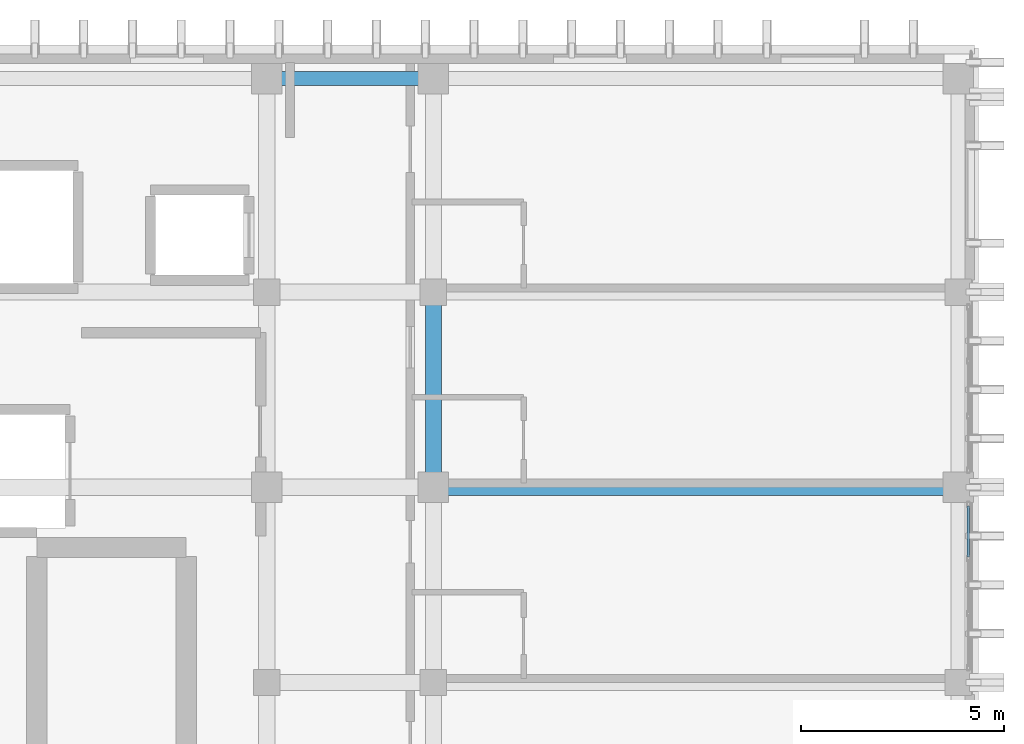
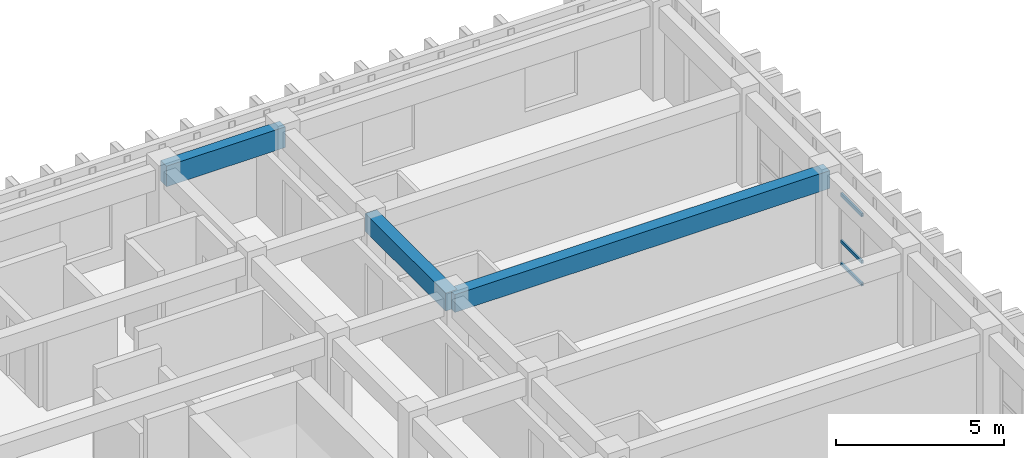
# One storey, part 45 of 64: 3 beams, 3 members, 1 element without a shape of its own.
"""IFC4 building model written with IfcOpenShell, lengths in metres."""

import ifcopenshell
import ifcopenshell.guid

model = None  # the IFC model being written
_history = None  # IfcOwnerHistory: only IFC2X3 demands one
_inside = {}  # id of a spatial element -> (the spatial element, [elements in it])
_under = {}  # id of a project, library or spatial element -> (it, [spatial elements below it])
_declared = {}  # id of a project -> (the project, [libraries it declares])
_typed = {}  # id of a type object -> (the type object, [elements of that type])
_made_of = {}  # id of a material, layer set ... -> (it, [elements and type objects made of it])


def new_model(schema):
    """Start an empty IFC model of exactly this schema.

    Asked for "IFC4X3", IfcOpenShell would pick the latest addendum, in which some entities
    have other attributes; the version numbers below select the first issue.
    IFC2X3 requires an IfcOwnerHistory on every rooted entity: one is made here for all.
    """
    global model, _history
    if schema == "IFC4X3":
        model = ifcopenshell.file(schema_version=(4, 3, 0, 0))
    else:
        model = ifcopenshell.file(schema=schema)
    _inside.clear()
    _under.clear()
    _declared.clear()
    _typed.clear()
    _made_of.clear()
    _history = None
    if model.schema == "IFC2X3":
        org = make("IfcOrganization", Name="unknown")
        user = make(
            "IfcPersonAndOrganization",
            ThePerson=make("IfcPerson", FamilyName="unknown"),
            TheOrganization=org,
        )
        app = make(
            "IfcApplication",
            ApplicationDeveloper=org,
            Version="unknown",
            ApplicationFullName="unknown",
            ApplicationIdentifier="unknown",
        )
        _history = make(
            "IfcOwnerHistory",
            OwningUser=user,
            OwningApplication=app,
            ChangeAction="ADDED",
            CreationDate=0,
        )
    return model


def make(cls, **values):
    """One entity of the class cls with the attributes given. An attribute that is None is left unset."""
    return model.create_entity(
        cls, **{name: value for name, value in values.items() if value is not None}
    )


def rooted(cls, **values):
    """An entity with a GlobalId (a new one), such as an element, a storey or a relation."""
    return make(cls, GlobalId=ifcopenshell.guid.new(), OwnerHistory=_history, **values)


def si_unit(unit_type, name, prefix=None):
    """IfcSIUnit, for example si_unit("LENGTHUNIT", "METRE", prefix="MILLI")."""
    return make("IfcSIUnit", UnitType=unit_type, Prefix=prefix, Name=name)


def assignment(units):
    """IfcUnitAssignment: the units of a project."""
    return None if units is None else make("IfcUnitAssignment", Units=units)


def point(xyz):
    """IfcCartesianPoint."""
    return None if xyz is None else make("IfcCartesianPoint", Coordinates=xyz)


def direction(xyz):
    """IfcDirection."""
    return None if xyz is None else make("IfcDirection", DirectionRatios=xyz)


def frame(location, z_axis=None, x_axis=None):
    """IfcAxis2Placement3D, a coordinate frame: its origin and axes. An axis left out is left unset."""
    return make(
        "IfcAxis2Placement3D",
        Location=point(location),
        Axis=direction(z_axis),
        RefDirection=direction(x_axis),
    )


def frame_2d(location, x_axis=None):
    """IfcAxis2Placement2D, a coordinate frame in the plane: its origin and x axis."""
    return make(
        "IfcAxis2Placement2D", Location=point(location), RefDirection=direction(x_axis)
    )


def origin():
    """The frame at (0, 0, 0) with its axes left unset."""
    return frame((0.0, 0.0, 0.0))


def origin_2d():
    """The frame at (0, 0) in the plane with its x axis left unset."""
    return frame_2d((0.0, 0.0))


def place(relative_to, where):
    """IfcLocalPlacement: puts the frame where relative to a parent placement (None: the world)."""
    return make(
        "IfcLocalPlacement", PlacementRelTo=relative_to, RelativePlacement=where
    )


def context(
    kind, dimensions, precision=None, world=None, true_north=None, identifier=None
):
    """IfcGeometricRepresentationContext, for example the 3D "Model" context."""
    return make(
        "IfcGeometricRepresentationContext",
        ContextIdentifier=identifier,
        ContextType=kind,
        CoordinateSpaceDimension=dimensions,
        Precision=precision,
        WorldCoordinateSystem=world,
        TrueNorth=true_north,
    )


def subcontext(parent, identifier, kind, view, scale=None):
    """IfcGeometricRepresentationSubContext, for example "Body" below "Model"."""
    return make(
        "IfcGeometricRepresentationSubContext",
        ContextIdentifier=identifier,
        ContextType=kind,
        ParentContext=parent,
        TargetScale=scale,
        TargetView=view,
    )


def project(units=None, contexts=None):
    """IfcProject with its units and contexts."""
    return rooted(
        "IfcProject",
        Name="project",
        RepresentationContexts=contexts,
        UnitsInContext=assignment(units),
    )


def spatial(cls, under=None, at=None, **own):
    """A site, building, storey or space (cls), placed at a placement, below another one or the project."""
    s = rooted(cls, ObjectPlacement=at, **own)
    if under is not None:
        _under.setdefault(under.id(), (under, []))[1].append(s)
    return s


def profile(cls, at=None, kind="AREA", **sizes):
    """A parametric profile (cls). Its sizes go by their IFC names, for example OverallWidth=200.0."""
    return make(cls, ProfileType=kind, Position=at, **sizes)


def rectangle(**sizes):
    """IfcRectangleProfileDef."""
    return profile("IfcRectangleProfileDef", **sizes)


def hollow_rectangle(**sizes):
    """IfcRectangleHollowProfileDef."""
    return profile("IfcRectangleHollowProfileDef", **sizes)


def extrude(swept, where, along, depth):
    """IfcExtrudedAreaSolid: the profile swept, set in the frame where, extruded along a direction by depth."""
    return make(
        "IfcExtrudedAreaSolid",
        SweptArea=swept,
        Position=where,
        ExtrudedDirection=direction(along),
        Depth=depth,
    )


def shape(context_of_items, identifier, shape_type, items):
    """IfcShapeRepresentation: the items that make up one representation, for example the "Body"."""
    return make(
        "IfcShapeRepresentation",
        ContextOfItems=context_of_items,
        RepresentationIdentifier=identifier,
        RepresentationType=shape_type,
        Items=items,
    )


def material(Name=None, Category=None):
    """IfcMaterial."""
    return make("IfcMaterial", Name=Name, Category=Category)


def layer(
    of_material, thickness, ventilated=None, Name=None, Category=None, Priority=None
):
    """IfcMaterialLayer: one layer of a wall or slab, of a material (None: an air gap)."""
    return make(
        "IfcMaterialLayer",
        Material=of_material,
        LayerThickness=thickness,
        IsVentilated=ventilated,
        Name=Name,
        Category=Category,
        Priority=Priority,
    )


def layer_set(layers, Name=None):
    """IfcMaterialLayerSet."""
    return make("IfcMaterialLayerSet", MaterialLayers=layers, LayerSetName=Name)


def material_profile(
    of_material, cross_section, Name=None, Category=None, Priority=None
):
    """IfcMaterialProfile: a cross section and its material."""
    return make(
        "IfcMaterialProfile",
        Name=Name,
        Material=of_material,
        Profile=cross_section,
        Priority=Priority,
        Category=Category,
    )


def profile_set(profiles, Name=None, composite=None):
    """IfcMaterialProfileSet."""
    return make(
        "IfcMaterialProfileSet",
        Name=Name,
        MaterialProfiles=profiles,
        CompositeProfile=composite,
    )


def made_of(thing, what):
    """Note that an element or type object is made of a material, layer set ...; save() writes the relation."""
    if what is not None:
        _made_of.setdefault(what.id(), (what, []))[1].append(thing)
    return thing


def type_object(cls, material=None, **own):
    """A type object (cls), such as IfcWallType, which elements share."""
    return made_of(rooted(cls, **own), material)


def element(
    cls,
    number,
    at=None,
    inside=None,
    cuts=None,
    type_object=None,
    material=None,
    context=None,
    identifier="Body",
    shape_type=None,
    held_by="IfcProductDefinitionShape",
    body=None,
    shapes=None,
    **own,
):
    """One element of the class cls, such as IfcWall. Its Tag is "e" and its number.

    at: its placement. inside: the storey or other place that contains it. cuts: it is an
    opening in that element (IfcRelVoidsElement). A single representation is given by context,
    identifier, shape_type and body (its items); several are given by shapes. held_by: the class
    of the entity that holds the representations. save() writes the other relations.
    """
    e = rooted(cls, Tag="e%d" % number, ObjectPlacement=at, **own)
    if body is not None:
        shapes = [shape(context, identifier, shape_type, body)]
    if shapes is not None:
        e.Representation = make(held_by, Representations=shapes)
    if inside is not None:
        _inside.setdefault(inside.id(), (inside, []))[1].append(e)
    if cuts is not None:
        rooted(
            "IfcRelVoidsElement", RelatingBuildingElement=cuts, RelatedOpeningElement=e
        )
    if type_object is not None:
        _typed.setdefault(type_object.id(), (type_object, []))[1].append(e)
    return made_of(e, material)


def aggregate(whole, parts):
    """IfcRelAggregates: a whole, such as a stair, and the parts it consists of."""
    return rooted("IfcRelAggregates", RelatingObject=whole, RelatedObjects=parts)


def save(model, path):
    """Write the relations noted so far, then the file.

    IfcRelAggregates (storeys below a building ...), IfcRelContainedInSpatialStructure (elements
    in a storey), IfcRelDefinesByType, IfcRelAssociatesMaterial and IfcRelDeclares: one each for
    every whole, place, type object, material and project.
    """
    for whole, parts in _under.values():
        aggregate(whole, parts)
    for where, things in _inside.values():
        rooted(
            "IfcRelContainedInSpatialStructure",
            RelatedElements=things,
            RelatingStructure=where,
        )
    for kind, things in _typed.values():
        rooted("IfcRelDefinesByType", RelatedObjects=things, RelatingType=kind)
    for what, things in _made_of.values():
        rooted("IfcRelAssociatesMaterial", RelatedObjects=things, RelatingMaterial=what)
    for by, libraries in _declared.values():
        rooted("IfcRelDeclares", RelatingContext=by, RelatedDefinitions=libraries)
    model.write(path)


model = new_model("IFC4")

# Units and contexts
model_context = context("Model", 3, precision=1e-05, world=origin(), true_north=direction((0.0, 1.0)))
body_context = subcontext(model_context, "Body", "Model", "MODEL_VIEW")
ifc_project = project(units=[si_unit("LENGTHUNIT", "METRE"), si_unit("AREAUNIT", "SQUARE_METRE"), si_unit("VOLUMEUNIT", "CUBIC_METRE"), si_unit("PLANEANGLEUNIT", "RADIAN"), si_unit("MASSUNIT", "GRAM", prefix="KILO")], contexts=[model_context])

# Site, building, storey
site_placement = place(None, origin())
site = spatial("IfcSite", under=ifc_project, at=site_placement, CompositionType="ELEMENT")
building_placement = place(site_placement, origin())
building = spatial("IfcBuilding", under=site, at=building_placement, Name="Nakhvara Creek Congress Hotel", CompositionType="ELEMENT")
storey_placement = place(building_placement, frame((0.0, 0.0, 28.199951171875)))
storey = spatial("IfcBuildingStorey", under=building, at=storey_placement, Name="L06", CompositionType="ELEMENT", Elevation=28.199951171875)

# Beams
ifc_material_1 = material(Name="Concrete C40/50", Category="concrete")
ifc_material_profile_1 = material_profile(ifc_material_1, rectangle(XDim=0.39990234375, YDim=0.64990234375, at=origin_2d()), Name="RC-BM 400x650", Category="LoadBearing")
ifc_profile_set_1 = profile_set([ifc_material_profile_1], Name="Concrete C40/50")
beam_type_1 = type_object("IfcBeamType", Name="BM-RC-400X650", PredefinedType="BEAM", material=ifc_profile_set_1)
beam_1_placement = place(storey_placement, frame((166.449951171875, 115.199951171875, 3.01513671875), z_axis=(1.0, 0.0, 0.0), x_axis=(0.0, 1.0, 0.0)))
element("IfcBeam", 1, at=beam_1_placement, inside=storey, type_object=beam_type_1, Name="Beam B06-L06-2270", PredefinedType="BEAM", context=body_context, shape_type="SweptSolid", body=[
    extrude(rectangle(XDim=0.39990234375, YDim=0.64990234375, at=origin_2d()), origin(), (0.0, 0.0, 1.0), 12.900146484375),
])
beam_2_placement = place(storey_placement, frame((166.449951171875, 115.199951171875, 3.01513671875), z_axis=(0.0, 1.0, 0.0), x_axis=(-1.0, 0.0, 0.0)))
element("IfcBeam", 2, at=beam_2_placement, inside=storey, type_object=beam_type_1, Name="Beam B06-L06-2272", PredefinedType="BEAM", context=body_context, shape_type="SweptSolid", body=[
    extrude(rectangle(XDim=0.39990234375, YDim=0.64990234375, at=origin_2d()), origin(), (0.0, 0.0, 1.0), 4.800048828125),
])
ifc_material_profile_2 = material_profile(ifc_material_1, rectangle(XDim=0.35009765625, YDim=0.75, at=origin_2d()), Name="RC-SPANDREL 350x750", Category="LoadBearing")
ifc_profile_set_2 = profile_set([ifc_material_profile_2], Name="Concrete C40/50")
beam_type_2 = type_object("IfcBeamType", Name="BM-SPN-350X750", PredefinedType="SPANDREL", material=ifc_profile_set_2)
beam_3_placement = place(storey_placement, frame((162.35009765625, 125.25, 2.965087890625), z_axis=(1.0, 0.0, 0.0), x_axis=(0.0, 1.0, 0.0)))
element("IfcBeam", 3, at=beam_3_placement, inside=storey, type_object=beam_type_2, Name="Beam SP1-L06-2245", PredefinedType="SPANDREL", context=body_context, shape_type="SweptSolid", body=[
    extrude(rectangle(XDim=0.35009765625, YDim=0.75, at=origin_2d()), origin(), (0.0, 0.0, 1.0), 4.099853515625),
])

# Curtain wall, members
ifc_material_2 = material(Name="Bronze-anodised aluminium AW-6063-T6 and double-silver low-E glass", Category="aluminium")
ifc_layer = layer(ifc_material_2, 0.199951171875)
ifc_layer_set = layer_set([ifc_layer], Name="Bronze-anodised aluminium AW-6063-T6 and double-silver low-E glass")
curtain_wall_type = type_object("IfcCurtainWallType", Name="CW-HTL-UNIT", PredefinedType="USERDEFINED", material=ifc_layer_set)
curtain_wall_placement = place(storey_placement, origin())
curtain_wall = element("IfcCurtainWall", 4, at=curtain_wall_placement, inside=storey, type_object=curtain_wall_type, Name="Curtain Wall CW249", ObjectType="UNITISED", PredefinedType="USERDEFINED")
ifc_material_3 = material(Name="Bronze-anodised aluminium AW-6063-T6", Category="aluminium")
ifc_material_profile_3 = material_profile(ifc_material_3, hollow_rectangle(XDim=0.06494140625, YDim=0.1201171875, WallThickness=0.00390625, at=origin_2d()), Name="ALU-TRAN 65x120x4", Category="LoadBearing")
ifc_profile_set_3 = profile_set([ifc_material_profile_3], Name="Bronze-anodised aluminium AW-6063-T6")
member_type = type_object("IfcMemberType", Name="CW-TRAN-120", PredefinedType="USERDEFINED", material=ifc_profile_set_3)
member_1_placement = place(storey_placement, frame((179.60009765625, 114.7451171875, 0.032470703125), z_axis=(0.0, -1.0, 0.0), x_axis=(1.0, 0.0, 0.0)))
member_1 = element("IfcMember", 5, at=member_1_placement, type_object=member_type, Name="CW249 transom 1.1", ObjectType="TRANSOM", PredefinedType="USERDEFINED", context=body_context, shape_type="SweptSolid", body=[
    extrude(hollow_rectangle(XDim=0.06494140625, YDim=0.1201171875, WallThickness=0.00390625, at=origin_2d()), origin(), (0.0, 0.0, 1.0), 1.25927734375),
])
member_2_placement = place(storey_placement, frame((179.60009765625, 114.7451171875, 0.85009765625), z_axis=(0.0, -1.0, 0.0), x_axis=(1.0, 0.0, 0.0)))
member_2 = element("IfcMember", 6, at=member_2_placement, type_object=member_type, Name="CW249 transom 1.2", ObjectType="TRANSOM", PredefinedType="USERDEFINED", context=body_context, shape_type="SweptSolid", body=[
    extrude(hollow_rectangle(XDim=0.06494140625, YDim=0.1201171875, WallThickness=0.00390625, at=origin_2d()), origin(), (0.0, 0.0, 1.0), 1.25927734375),
])
member_3_placement = place(storey_placement, frame((179.60009765625, 114.7451171875, 2.549560546875), z_axis=(0.0, -1.0, 0.0), x_axis=(1.0, 0.0, 0.0)))
member_3 = element("IfcMember", 7, at=member_3_placement, type_object=member_type, Name="CW249 transom 1.3", ObjectType="TRANSOM", PredefinedType="USERDEFINED", context=body_context, shape_type="SweptSolid", body=[
    extrude(hollow_rectangle(XDim=0.06494140625, YDim=0.1201171875, WallThickness=0.00390625, at=origin_2d()), origin(), (0.0, 0.0, 1.0), 1.25927734375),
])
aggregate(curtain_wall, [member_1, member_2, member_3])

save(model, "model.ifc")
